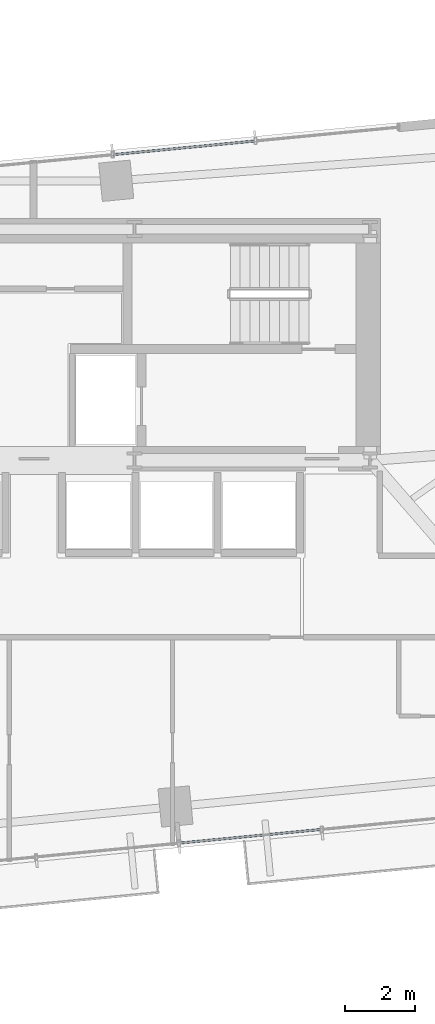
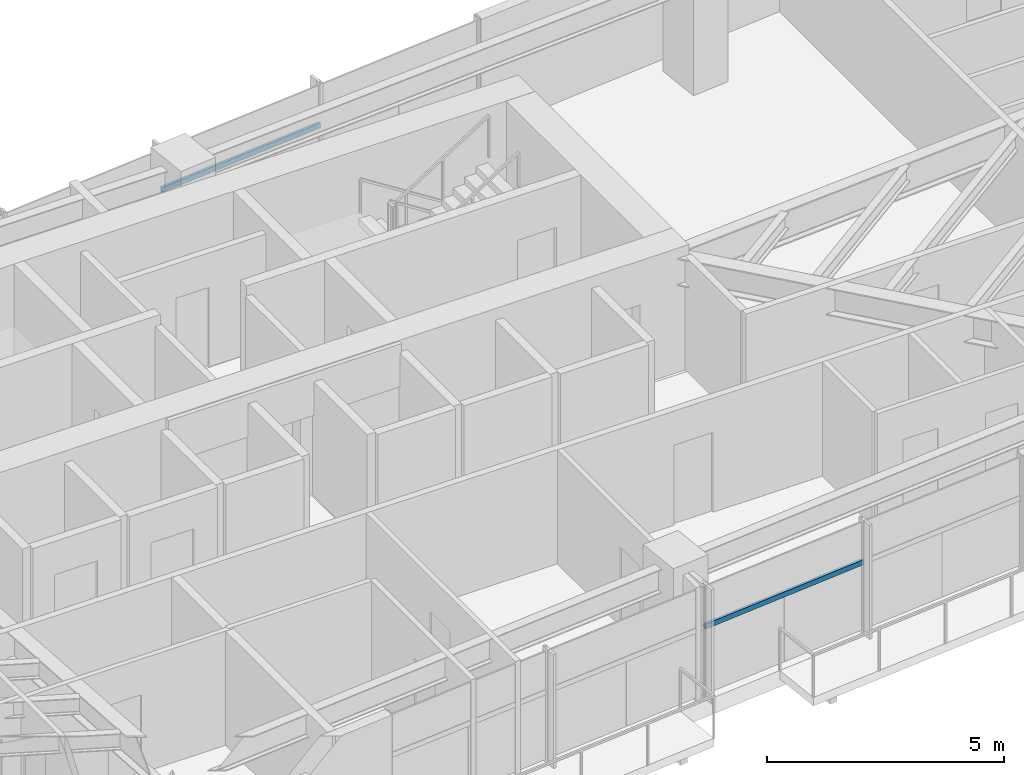
# One storey, part 11 of 25: 2 members, 2 elements without a shape of their own.
"""IFC4 building model written with IfcOpenShell, lengths in metres."""

import ifcopenshell
import ifcopenshell.guid

model = None  # the IFC model being written
_history = None  # IfcOwnerHistory: only IFC2X3 demands one
_inside = {}  # id of a spatial element -> (the spatial element, [elements in it])
_under = {}  # id of a project, library or spatial element -> (it, [spatial elements below it])
_declared = {}  # id of a project -> (the project, [libraries it declares])
_typed = {}  # id of a type object -> (the type object, [elements of that type])
_made_of = {}  # id of a material, layer set ... -> (it, [elements and type objects made of it])


def new_model(schema):
    """Start an empty IFC model of exactly this schema.

    Asked for "IFC4X3", IfcOpenShell would pick the latest addendum, in which some entities
    have other attributes; the version numbers below select the first issue.
    IFC2X3 requires an IfcOwnerHistory on every rooted entity: one is made here for all.
    """
    global model, _history
    if schema == "IFC4X3":
        model = ifcopenshell.file(schema_version=(4, 3, 0, 0))
    else:
        model = ifcopenshell.file(schema=schema)
    _inside.clear()
    _under.clear()
    _declared.clear()
    _typed.clear()
    _made_of.clear()
    _history = None
    if model.schema == "IFC2X3":
        org = make("IfcOrganization", Name="unknown")
        user = make(
            "IfcPersonAndOrganization",
            ThePerson=make("IfcPerson", FamilyName="unknown"),
            TheOrganization=org,
        )
        app = make(
            "IfcApplication",
            ApplicationDeveloper=org,
            Version="unknown",
            ApplicationFullName="unknown",
            ApplicationIdentifier="unknown",
        )
        _history = make(
            "IfcOwnerHistory",
            OwningUser=user,
            OwningApplication=app,
            ChangeAction="ADDED",
            CreationDate=0,
        )
    return model


def make(cls, **values):
    """One entity of the class cls with the attributes given. An attribute that is None is left unset."""
    return model.create_entity(
        cls, **{name: value for name, value in values.items() if value is not None}
    )


def rooted(cls, **values):
    """An entity with a GlobalId (a new one), such as an element, a storey or a relation."""
    return make(cls, GlobalId=ifcopenshell.guid.new(), OwnerHistory=_history, **values)


def si_unit(unit_type, name, prefix=None):
    """IfcSIUnit, for example si_unit("LENGTHUNIT", "METRE", prefix="MILLI")."""
    return make("IfcSIUnit", UnitType=unit_type, Prefix=prefix, Name=name)


def assignment(units):
    """IfcUnitAssignment: the units of a project."""
    return None if units is None else make("IfcUnitAssignment", Units=units)


def point(xyz):
    """IfcCartesianPoint."""
    return None if xyz is None else make("IfcCartesianPoint", Coordinates=xyz)


def direction(xyz):
    """IfcDirection."""
    return None if xyz is None else make("IfcDirection", DirectionRatios=xyz)


def frame(location, z_axis=None, x_axis=None):
    """IfcAxis2Placement3D, a coordinate frame: its origin and axes. An axis left out is left unset."""
    return make(
        "IfcAxis2Placement3D",
        Location=point(location),
        Axis=direction(z_axis),
        RefDirection=direction(x_axis),
    )


def frame_2d(location, x_axis=None):
    """IfcAxis2Placement2D, a coordinate frame in the plane: its origin and x axis."""
    return make(
        "IfcAxis2Placement2D", Location=point(location), RefDirection=direction(x_axis)
    )


def origin():
    """The frame at (0, 0, 0) with its axes left unset."""
    return frame((0.0, 0.0, 0.0))


def origin_2d():
    """The frame at (0, 0) in the plane with its x axis left unset."""
    return frame_2d((0.0, 0.0))


def place(relative_to, where):
    """IfcLocalPlacement: puts the frame where relative to a parent placement (None: the world)."""
    return make(
        "IfcLocalPlacement", PlacementRelTo=relative_to, RelativePlacement=where
    )


def context(
    kind, dimensions, precision=None, world=None, true_north=None, identifier=None
):
    """IfcGeometricRepresentationContext, for example the 3D "Model" context."""
    return make(
        "IfcGeometricRepresentationContext",
        ContextIdentifier=identifier,
        ContextType=kind,
        CoordinateSpaceDimension=dimensions,
        Precision=precision,
        WorldCoordinateSystem=world,
        TrueNorth=true_north,
    )


def subcontext(parent, identifier, kind, view, scale=None):
    """IfcGeometricRepresentationSubContext, for example "Body" below "Model"."""
    return make(
        "IfcGeometricRepresentationSubContext",
        ContextIdentifier=identifier,
        ContextType=kind,
        ParentContext=parent,
        TargetScale=scale,
        TargetView=view,
    )


def project(units=None, contexts=None):
    """IfcProject with its units and contexts."""
    return rooted(
        "IfcProject",
        Name="project",
        RepresentationContexts=contexts,
        UnitsInContext=assignment(units),
    )


def spatial(cls, under=None, at=None, **own):
    """A site, building, storey or space (cls), placed at a placement, below another one or the project."""
    s = rooted(cls, ObjectPlacement=at, **own)
    if under is not None:
        _under.setdefault(under.id(), (under, []))[1].append(s)
    return s


def profile(cls, at=None, kind="AREA", **sizes):
    """A parametric profile (cls). Its sizes go by their IFC names, for example OverallWidth=200.0."""
    return make(cls, ProfileType=kind, Position=at, **sizes)


def hollow_rectangle(**sizes):
    """IfcRectangleHollowProfileDef."""
    return profile("IfcRectangleHollowProfileDef", **sizes)


def extrude(swept, where, along, depth):
    """IfcExtrudedAreaSolid: the profile swept, set in the frame where, extruded along a direction by depth."""
    return make(
        "IfcExtrudedAreaSolid",
        SweptArea=swept,
        Position=where,
        ExtrudedDirection=direction(along),
        Depth=depth,
    )


def shape(context_of_items, identifier, shape_type, items):
    """IfcShapeRepresentation: the items that make up one representation, for example the "Body"."""
    return make(
        "IfcShapeRepresentation",
        ContextOfItems=context_of_items,
        RepresentationIdentifier=identifier,
        RepresentationType=shape_type,
        Items=items,
    )


def source(mapping_origin, context_of_items, identifier, shape_type, items):
    """IfcRepresentationMap: a shape defined once, which mapped items show again and again."""
    return make(
        "IfcRepresentationMap",
        MappingOrigin=mapping_origin,
        MappedRepresentation=shape(context_of_items, identifier, shape_type, items),
    )


def transform(
    local_origin,
    x_axis=None,
    y_axis=None,
    z_axis=None,
    scale=None,
    scale2=None,
    scale3=None,
    uniform=True,
):
    """IfcCartesianTransformationOperator3D, or its non-uniform kind. x_axis, y_axis, z_axis: its Axis1, 2, 3."""
    if uniform:
        return make(
            "IfcCartesianTransformationOperator3D",
            Axis1=direction(x_axis),
            Axis2=direction(y_axis),
            LocalOrigin=point(local_origin),
            Scale=scale,
            Axis3=direction(z_axis),
        )
    return make(
        "IfcCartesianTransformationOperator3DnonUniform",
        Axis1=direction(x_axis),
        Axis2=direction(y_axis),
        LocalOrigin=point(local_origin),
        Scale=scale,
        Axis3=direction(z_axis),
        Scale2=scale2,
        Scale3=scale3,
    )


def mapped(mapping_source, mapping_target):
    """IfcMappedItem: shows the shape of a source again, moved by a transform."""
    return make(
        "IfcMappedItem", MappingSource=mapping_source, MappingTarget=mapping_target
    )


def material(Name=None, Category=None):
    """IfcMaterial."""
    return make("IfcMaterial", Name=Name, Category=Category)


def material_profile(
    of_material, cross_section, Name=None, Category=None, Priority=None
):
    """IfcMaterialProfile: a cross section and its material."""
    return make(
        "IfcMaterialProfile",
        Name=Name,
        Material=of_material,
        Profile=cross_section,
        Priority=Priority,
        Category=Category,
    )


def profile_set(profiles, Name=None, composite=None):
    """IfcMaterialProfileSet."""
    return make(
        "IfcMaterialProfileSet",
        Name=Name,
        MaterialProfiles=profiles,
        CompositeProfile=composite,
    )


def made_of(thing, what):
    """Note that an element or type object is made of a material, layer set ...; save() writes the relation."""
    if what is not None:
        _made_of.setdefault(what.id(), (what, []))[1].append(thing)
    return thing


def type_object(cls, material=None, **own):
    """A type object (cls), such as IfcWallType, which elements share."""
    return made_of(rooted(cls, **own), material)


def type_shapes(of_type, sources):
    """Give a type object the sources (RepresentationMaps) that its elements show as mapped items."""
    of_type.RepresentationMaps = sources


def element(
    cls,
    number,
    at=None,
    inside=None,
    cuts=None,
    type_object=None,
    material=None,
    context=None,
    identifier="Body",
    shape_type=None,
    held_by="IfcProductDefinitionShape",
    body=None,
    shapes=None,
    **own,
):
    """One element of the class cls, such as IfcWall. Its Tag is "e" and its number.

    at: its placement. inside: the storey or other place that contains it. cuts: it is an
    opening in that element (IfcRelVoidsElement). A single representation is given by context,
    identifier, shape_type and body (its items); several are given by shapes. held_by: the class
    of the entity that holds the representations. save() writes the other relations.
    """
    e = rooted(cls, Tag="e%d" % number, ObjectPlacement=at, **own)
    if body is not None:
        shapes = [shape(context, identifier, shape_type, body)]
    if shapes is not None:
        e.Representation = make(held_by, Representations=shapes)
    if inside is not None:
        _inside.setdefault(inside.id(), (inside, []))[1].append(e)
    if cuts is not None:
        rooted(
            "IfcRelVoidsElement", RelatingBuildingElement=cuts, RelatedOpeningElement=e
        )
    if type_object is not None:
        _typed.setdefault(type_object.id(), (type_object, []))[1].append(e)
    return made_of(e, material)


def aggregate(whole, parts):
    """IfcRelAggregates: a whole, such as a stair, and the parts it consists of."""
    return rooted("IfcRelAggregates", RelatingObject=whole, RelatedObjects=parts)


def save(model, path):
    """Write the relations noted so far, then the file.

    IfcRelAggregates (storeys below a building ...), IfcRelContainedInSpatialStructure (elements
    in a storey), IfcRelDefinesByType, IfcRelAssociatesMaterial and IfcRelDeclares: one each for
    every whole, place, type object, material and project.
    """
    for whole, parts in _under.values():
        aggregate(whole, parts)
    for where, things in _inside.values():
        rooted(
            "IfcRelContainedInSpatialStructure",
            RelatedElements=things,
            RelatingStructure=where,
        )
    for kind, things in _typed.values():
        rooted("IfcRelDefinesByType", RelatedObjects=things, RelatingType=kind)
    for what, things in _made_of.values():
        rooted("IfcRelAssociatesMaterial", RelatedObjects=things, RelatingMaterial=what)
    for by, libraries in _declared.values():
        rooted("IfcRelDeclares", RelatingContext=by, RelatedDefinitions=libraries)
    model.write(path)


model = new_model("IFC4")

# Units and contexts
model_context = context("Model", 3, precision=1e-05, world=origin(), true_north=direction((0.0, 1.0)))
body_context = subcontext(model_context, "Body", "Model", "MODEL_VIEW")
ifc_project = project(units=[si_unit("LENGTHUNIT", "METRE"), si_unit("AREAUNIT", "SQUARE_METRE"), si_unit("VOLUMEUNIT", "CUBIC_METRE"), si_unit("PLANEANGLEUNIT", "RADIAN"), si_unit("MASSUNIT", "GRAM", prefix="KILO")], contexts=[model_context])

# Site, building, storey
site_placement = place(None, origin())
site = spatial("IfcSite", under=ifc_project, at=site_placement, CompositionType="ELEMENT")
building_placement = place(site_placement, origin())
building = spatial("IfcBuilding", under=site, at=building_placement, Name="Astriad Promenade Condominiums", CompositionType="ELEMENT")
storey_placement = place(building_placement, frame((0.0, 0.0, 77.800048828125)))
storey = spatial("IfcBuildingStorey", under=building, at=storey_placement, Name="L21", CompositionType="ELEMENT", Elevation=77.800048828125)

# Curtain wall, member
ifc_material_1 = material(Name="Anodised aluminium Black Dark Glass Unitised", Category="aluminium")
curtain_wall_type = type_object("IfcCurtainWallType", Name="CW-B2-DARK", PredefinedType="USERDEFINED", material=ifc_material_1)
curtain_wall_1_placement = place(storey_placement, origin())
curtain_wall_1 = element("IfcCurtainWall", 1, at=curtain_wall_1_placement, inside=storey, type_object=curtain_wall_type, Name="CW-L21-N", ObjectType="UNITISED_CURTAIN_WALL", PredefinedType="USERDEFINED")
ifc_material_2 = material(Name="Anodised aluminium 6063-T6 Black", Category="aluminium")
ifc_material_profile = material_profile(ifc_material_2, hollow_rectangle(XDim=0.06494140625, YDim=0.1298828125, WallThickness=0.00390625, at=origin_2d()), Name="ALU-TRN-65X130")
ifc_profile_set = profile_set([ifc_material_profile], Name="Anodised aluminium 6063-T6 Black")
member_type = type_object("IfcMemberType", Name="TRN-ALU-TRN-65X130", PredefinedType="USERDEFINED", material=ifc_profile_set)
shared_shape = source(origin(), body_context, "Body", "SweptSolid", [
    extrude(hollow_rectangle(XDim=0.06494140625, YDim=0.1298828125, WallThickness=0.00390625, at=origin_2d()), origin(), (0.0, 0.0, 1.0), 4.094970703125),
])
type_shapes(member_type, [shared_shape])
member_1_placement = place(storey_placement, frame((38.25390625, 26.12451171875, 1.82275390625), z_axis=(0.995394161585, 0.09586690296, 0.0), x_axis=(-0.09586690296, 0.995394161585, 0.0)))
member_1 = element("IfcMember", 2, at=member_1_placement, type_object=member_type, Name="CW-L21-N-TRN-02-0", ObjectType="TRANSOM", PredefinedType="USERDEFINED", context=body_context, shape_type="MappedRepresentation", body=[
    mapped(shared_shape, transform((0.0, 0.0, 0.0), scale=1.0)),
])
aggregate(curtain_wall_1, [member_1])

curtain_wall_2_placement = place(storey_placement, origin())
curtain_wall_2 = element("IfcCurtainWall", 3, at=curtain_wall_2_placement, inside=storey, type_object=curtain_wall_type, Name="CW-L21-S", ObjectType="UNITISED_CURTAIN_WALL", PredefinedType="USERDEFINED")
member_2_placement = place(storey_placement, frame((44.22216796875, 6.867919921875, 1.82275390625), z_axis=(-0.995394161585, -0.09586690296, 0.0), x_axis=(0.09586690296, -0.995394161585, 0.0)))
member_2 = element("IfcMember", 4, at=member_2_placement, type_object=member_type, Name="CW-L21-S-TRN-01-0", ObjectType="TRANSOM", PredefinedType="USERDEFINED", context=body_context, shape_type="MappedRepresentation", body=[
    mapped(shared_shape, transform((0.0, 0.0, 0.0), scale=1.0)),
])
aggregate(curtain_wall_2, [member_2])

save(model, "model.ifc")
